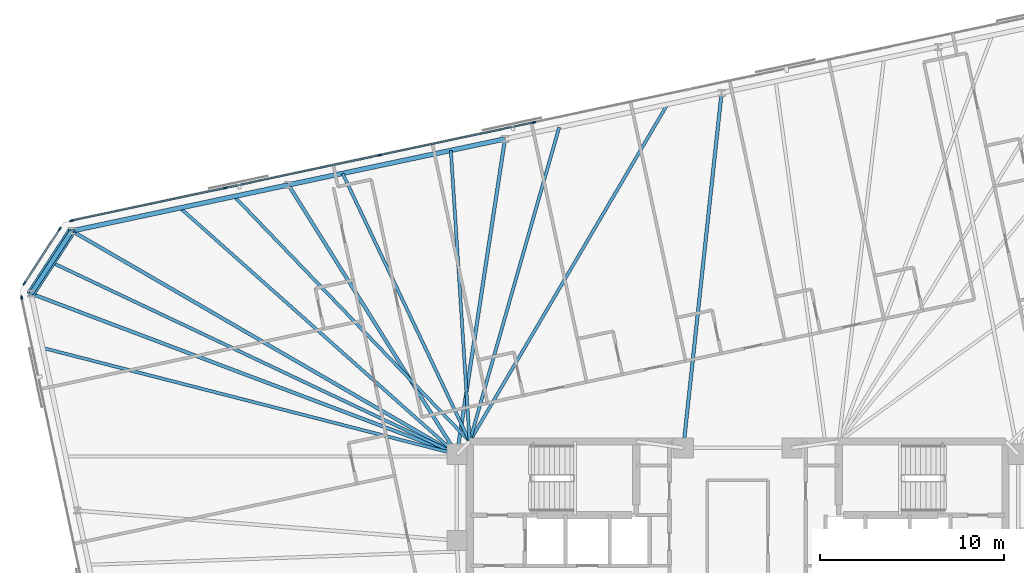
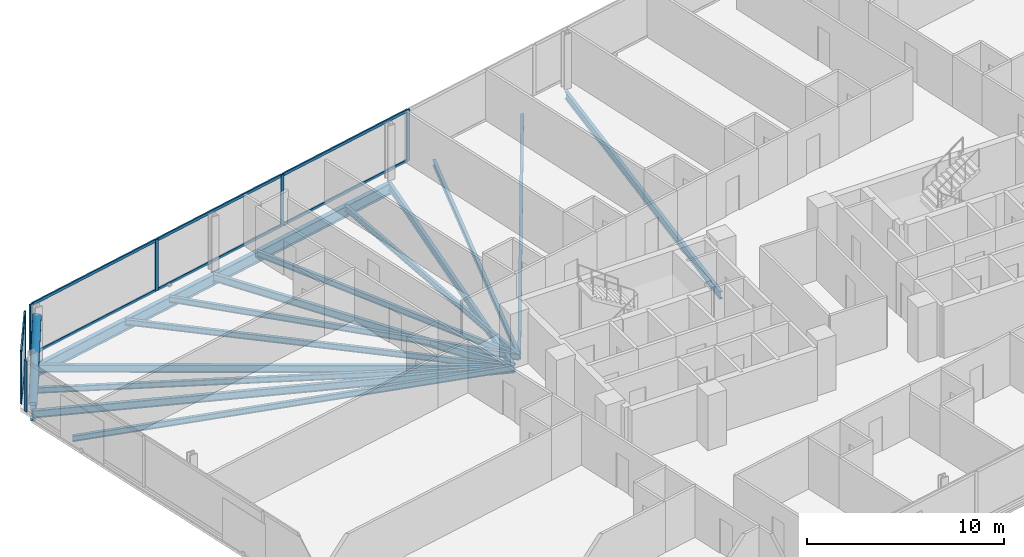
# One storey, part 9 of 20: 16 beams, 16 members, 3 elements without a shape of their own.
"""IFC4 building model written with IfcOpenShell, lengths in metres."""

from ifc_helpers import new_model, si_unit, direction, frame, origin, origin_2d, place, context, subcontext, project, spatial, rectangle, hollow_circle, i_section, extrude, material, material_profile, profile_set, type_object, element, aggregate, save


model = new_model("IFC4")

# Units and contexts
model_context = context("Model", 3, precision=1e-05, world=origin(), true_north=direction((0.0, 1.0)))
body_context = subcontext(model_context, "Body", "Model", "MODEL_VIEW")
ifc_project = project(units=[si_unit("LENGTHUNIT", "METRE"), si_unit("AREAUNIT", "SQUARE_METRE"), si_unit("VOLUMEUNIT", "CUBIC_METRE"), si_unit("PLANEANGLEUNIT", "RADIAN"), si_unit("MASSUNIT", "GRAM", prefix="KILO")], contexts=[model_context])

# Site, building, storey
site_placement = place(None, origin())
site = spatial("IfcSite", under=ifc_project, at=site_placement, CompositionType="ELEMENT")
building_placement = place(site_placement, origin())
building = spatial("IfcBuilding", under=site, at=building_placement, Name="Menara Jurai Vektor", CompositionType="ELEMENT")
storey_placement = place(building_placement, frame((0.0, 0.0, 158.199951171875)))
storey = spatial("IfcBuildingStorey", under=building, at=storey_placement, Name="L40", CompositionType="ELEMENT", Elevation=158.199951171875)

# Curtain wall, members
ifc_material_1 = material(Name="Anodised Pale Aluminium & Low-E Double Glazing", Category="aluminium")
curtain_wall_type = type_object("IfcCurtainWallType", Name="CW-BLK3", PredefinedType="NOTDEFINED", material=ifc_material_1)
curtain_wall_1_placement = place(storey_placement, origin())
curtain_wall_1 = element("IfcCurtainWall", 1, at=curtain_wall_1_placement, inside=storey, type_object=curtain_wall_type, Name="Unitised Curtain Wall L40 F05", PredefinedType="NOTDEFINED")
ifc_material_2 = material(Name="Anodised Pale Aluminium Mullion", Category="aluminium")
ifc_material_profile_1 = material_profile(ifc_material_2, rectangle(XDim=0.0849609375, YDim=0.205078125, at=origin_2d()), Name="ALU MUL 85x205")
ifc_profile_set_1 = profile_set([ifc_material_profile_1], Name="Anodised Pale Aluminium Mullion")
member_type_1 = type_object("IfcMemberType", Name="CW-BLK3-MUL", PredefinedType="MULLION", material=ifc_profile_set_1)
member_1_placement = place(storey_placement, frame((-11.06494140625, 22.9384765625, 0.0), z_axis=(0.0, 0.0, 1.0), x_axis=(0.207911344156, -0.978147674419, 0.0)))
member_1 = element("IfcMember", 2, at=member_1_placement, type_object=member_type_1, Name="CW-03 mullion 5", PredefinedType="MULLION", context=body_context, shape_type="SweptSolid", body=[
    extrude(rectangle(XDim=0.0849609375, YDim=0.205078125, at=origin_2d()), origin(), (0.0, 0.0, 1.0), 3.175048828125),
])
member_2_placement = place(storey_placement, frame((-19.45458984375, 21.1552734375, 0.0), z_axis=(0.0, 0.0, 1.0), x_axis=(0.207911344156, -0.978147674419, 0.0)))
member_2 = element("IfcMember", 3, at=member_2_placement, type_object=member_type_1, Name="CW-03 mullion 6", PredefinedType="MULLION", context=body_context, shape_type="SweptSolid", body=[
    extrude(rectangle(XDim=0.0849609375, YDim=0.205078125, at=origin_2d()), origin(), (0.0, 0.0, 1.0), 3.175048828125),
])
member_3_placement = place(storey_placement, frame((-27.844482421875, 19.3720703125, 0.0), z_axis=(0.0, 0.0, 1.0), x_axis=(0.207911344156, -0.978147674419, 0.0)))
member_3 = element("IfcMember", 4, at=member_3_placement, type_object=member_type_1, Name="CW-03 mullion 7", PredefinedType="MULLION", context=body_context, shape_type="SweptSolid", body=[
    extrude(rectangle(XDim=0.0849609375, YDim=0.205078125, at=origin_2d()), origin(), (0.0, 0.0, 1.0), 3.175048828125),
])
member_4_placement = place(storey_placement, frame((-36.192626953125, 17.59765625, 0.0), z_axis=(0.0, 0.0, 1.0), x_axis=(0.207911344156, -0.978147674419, 0.0)))
member_4 = element("IfcMember", 5, at=member_4_placement, type_object=member_type_1, Name="CW-03 mullion 8", PredefinedType="MULLION", context=body_context, shape_type="SweptSolid", body=[
    extrude(rectangle(XDim=0.0849609375, YDim=0.205078125, at=origin_2d()), origin(), (0.0, 0.0, 1.0), 3.175048828125),
])

curtain_wall_2_placement = place(storey_placement, origin())
curtain_wall_2 = element("IfcCurtainWall", 6, at=curtain_wall_2_placement, inside=storey, type_object=curtain_wall_type, Name="Unitised Curtain Wall L40 F06", PredefinedType="NOTDEFINED")
member_5_placement = place(storey_placement, frame((-36.8359375, 17.1552734375, 0.0), z_axis=(0.0, 0.0, 1.0), x_axis=(0.838684361415, -0.544617794346, 0.0)))
member_5 = element("IfcMember", 7, at=member_5_placement, type_object=member_type_1, Name="CW-03 mullion 1", PredefinedType="MULLION", context=body_context, shape_type="SweptSolid", body=[
    extrude(rectangle(XDim=0.0849609375, YDim=0.205078125, at=origin_2d()), origin(), (0.0, 0.0, 1.0), 3.175048828125),
])
member_6_placement = place(storey_placement, frame((-38.763427734375, 14.187255859375, 0.0), z_axis=(0.0, 0.0, 1.0), x_axis=(0.838684361415, -0.544617794346, 0.0)))
member_6 = element("IfcMember", 8, at=member_6_placement, type_object=member_type_1, Name="CW-03 mullion 2", PredefinedType="MULLION", context=body_context, shape_type="SweptSolid", body=[
    extrude(rectangle(XDim=0.0849609375, YDim=0.205078125, at=origin_2d()), origin(), (0.0, 0.0, 1.0), 3.175048828125),
])

# Curtain wall, member
curtain_wall_3_placement = place(storey_placement, origin())
curtain_wall_3 = element("IfcCurtainWall", 9, at=curtain_wall_3_placement, inside=storey, type_object=curtain_wall_type, Name="Unitised Curtain Wall L40 F07", PredefinedType="NOTDEFINED")
member_7_placement = place(storey_placement, frame((-38.90576171875, 13.419677734375, 0.0), z_axis=(0.0, 0.0, 1.0), x_axis=(0.978147883949, 0.20791035839, 0.0)))
member_7 = element("IfcMember", 10, at=member_7_placement, type_object=member_type_1, Name="CW-03 mullion 1", PredefinedType="MULLION", context=body_context, shape_type="SweptSolid", body=[
    extrude(rectangle(XDim=0.0849609375, YDim=0.205078125, at=origin_2d()), origin(), (0.0, 0.0, 1.0), 3.175048828125),
])
aggregate(curtain_wall_3, [member_7])

# Member
ifc_material_3 = material(Name="Anodised Pale Aluminium Transom", Category="aluminium")
ifc_material_profile_2 = material_profile(ifc_material_3, rectangle(XDim=0.0849609375, YDim=0.175048828125, at=origin_2d()), Name="ALU TRN 85x175")
ifc_profile_set_2 = profile_set([ifc_material_profile_2], Name="Anodised Pale Aluminium Transom")
member_type_2 = type_object("IfcMemberType", Name="CW-BLK3-TRN", PredefinedType="USERDEFINED", material=ifc_profile_set_2)
member_8_placement = place(storey_placement, frame((-11.1064453125, 22.9296875, 0.04248046875), z_axis=(-0.978147743708, -0.207911018178, 0.0), x_axis=(0.207911018178, -0.978147743708, 0.0)))
member_8 = element("IfcMember", 11, at=member_8_placement, type_object=member_type_2, Name="CW-03 transom 5.1", ObjectType="TRANSOM", PredefinedType="USERDEFINED", context=body_context, shape_type="SweptSolid", body=[
    extrude(rectangle(XDim=0.0849609375, YDim=0.175048828125, at=origin_2d()), origin(), (0.0, 0.0, 1.0), 8.4921875),
])

member_9_placement = place(storey_placement, frame((-11.1064453125, 22.9296875, 3.132568359375), z_axis=(-0.978147743708, -0.207911018178, 0.0), x_axis=(0.207911018178, -0.978147743708, 0.0)))
member_9 = element("IfcMember", 12, at=member_9_placement, type_object=member_type_2, Name="CW-03 transom 5.2", ObjectType="TRANSOM", PredefinedType="USERDEFINED", context=body_context, shape_type="SweptSolid", body=[
    extrude(rectangle(XDim=0.0849609375, YDim=0.175048828125, at=origin_2d()), origin(), (0.0, 0.0, 1.0), 8.4921875),
])

member_10_placement = place(storey_placement, frame((-19.496337890625, 21.146484375, 0.04248046875), z_axis=(-0.978146500933, -0.207916864907, 0.0), x_axis=(0.207916864907, -0.978146500933, 0.0)))
member_10 = element("IfcMember", 13, at=member_10_placement, type_object=member_type_2, Name="CW-03 transom 6.1", ObjectType="TRANSOM", PredefinedType="USERDEFINED", context=body_context, shape_type="SweptSolid", body=[
    extrude(rectangle(XDim=0.0849609375, YDim=0.175048828125, at=origin_2d()), origin(), (0.0, 0.0, 1.0), 8.491943359375),
])

member_11_placement = place(storey_placement, frame((-19.496337890625, 21.146484375, 3.132568359375), z_axis=(-0.978146500933, -0.207916864907, 0.0), x_axis=(0.207916864907, -0.978146500933, 0.0)))
member_11 = element("IfcMember", 14, at=member_11_placement, type_object=member_type_2, Name="CW-03 transom 6.2", ObjectType="TRANSOM", PredefinedType="USERDEFINED", context=body_context, shape_type="SweptSolid", body=[
    extrude(rectangle(XDim=0.0849609375, YDim=0.175048828125, at=origin_2d()), origin(), (0.0, 0.0, 1.0), 8.491943359375),
])

member_12_placement = place(storey_placement, frame((-27.885986328125, 19.363037109375, 0.04248046875), z_axis=(-0.978151580361, -0.207892967261, 0.0), x_axis=(0.207892967261, -0.978151580361, 0.0)))
member_12 = element("IfcMember", 15, at=member_12_placement, type_object=member_type_2, Name="CW-03 transom 7.1", ObjectType="TRANSOM", PredefinedType="USERDEFINED", context=body_context, shape_type="SweptSolid", body=[
    extrude(rectangle(XDim=0.0849609375, YDim=0.175048828125, at=origin_2d()), origin(), (0.0, 0.0, 1.0), 8.449462890625),
])

member_13_placement = place(storey_placement, frame((-27.885986328125, 19.363037109375, 3.132568359375), z_axis=(-0.978151580361, -0.207892967261, 0.0), x_axis=(0.207892967261, -0.978151580361, 0.0)))
member_13 = element("IfcMember", 16, at=member_13_placement, type_object=member_type_2, Name="CW-03 transom 7.2", ObjectType="TRANSOM", PredefinedType="USERDEFINED", context=body_context, shape_type="SweptSolid", body=[
    extrude(rectangle(XDim=0.0849609375, YDim=0.175048828125, at=origin_2d()), origin(), (0.0, 0.0, 1.0), 8.449462890625),
])

aggregate(curtain_wall_1, [member_1, member_2, member_3, member_4, member_8, member_9, member_10, member_11, member_12, member_13])

member_14_placement = place(storey_placement, frame((-36.859130859375, 17.11962890625, 0.04248046875), z_axis=(-0.54462804274, -0.83867770631, 0.0), x_axis=(0.83867770631, -0.54462804274, 0.0)))
member_14 = element("IfcMember", 17, at=member_14_placement, type_object=member_type_2, Name="CW-03 transom 1.1", ObjectType="TRANSOM", PredefinedType="USERDEFINED", context=body_context, shape_type="SweptSolid", body=[
    extrude(rectangle(XDim=0.0849609375, YDim=0.175048828125, at=origin_2d()), origin(), (0.0, 0.0, 1.0), 3.453857421875),
])

member_15_placement = place(storey_placement, frame((-36.859130859375, 17.11962890625, 3.132568359375), z_axis=(-0.54462804274, -0.83867770631, 0.0), x_axis=(0.83867770631, -0.54462804274, 0.0)))
member_15 = element("IfcMember", 18, at=member_15_placement, type_object=member_type_2, Name="CW-03 transom 1.2", ObjectType="TRANSOM", PredefinedType="USERDEFINED", context=body_context, shape_type="SweptSolid", body=[
    extrude(rectangle(XDim=0.0849609375, YDim=0.175048828125, at=origin_2d()), origin(), (0.0, 0.0, 1.0), 3.453857421875),
])

aggregate(curtain_wall_2, [member_5, member_6, member_14, member_15])

# Beams
ifc_material_4 = material(Name="Steel S355", Category="steel")
ifc_material_profile_3 = material_profile(ifc_material_4, i_section(OverallWidth=0.19091796875, OverallDepth=0.4599609375, WebThickness=0.010009765625, FlangeThickness=0.01611328125, FilletRadius=0.010009765625, at=origin_2d()), Name="UKB 457x191x82")
ifc_profile_set_3 = profile_set([ifc_material_profile_3], Name="Steel S355")
beam_type_1 = type_object("IfcBeamType", Name="STR-BM-457", PredefinedType="BEAM", material=ifc_profile_set_3)
beam_1_placement = place(storey_placement, frame((-0.87158203125, 24.54296875, -0.454833984375), z_axis=(-0.107107067506, -0.994247492373, 0.0), x_axis=(0.994247492373, -0.107107067506, 0.0)))
element("IfcBeam", 19, at=beam_1_placement, inside=storey, type_object=beam_type_1, Name="Radial Floor Girder L40-N3", PredefinedType="BEAM", context=body_context, shape_type="SweptSolid", body=[
    extrude(i_section(OverallWidth=0.19091796875, OverallDepth=0.4599609375, WebThickness=0.010009765625, FlangeThickness=0.01611328125, FilletRadius=0.010009765625, at=origin_2d()), origin(), (0.0, 0.0, 1.0), 19.404541015625),
])
beam_2_placement = place(storey_placement, frame((-12.639892578125, 22.04150390625, -0.454833984375), z_axis=(-0.150532344322, -0.988605084608, 0.0), x_axis=(0.988605084608, -0.150532344322, 0.0)))
element("IfcBeam", 20, at=beam_2_placement, inside=storey, type_object=beam_type_1, Name="Radial Floor Girder L40-N4", PredefinedType="BEAM", context=body_context, shape_type="SweptSolid", body=[
    extrude(i_section(OverallWidth=0.19091796875, OverallDepth=0.4599609375, WebThickness=0.010009765625, FlangeThickness=0.01611328125, FilletRadius=0.010009765625, at=origin_2d()), origin(), (0.0, 0.0, 1.0), 17.339111328125),
])
beam_3_placement = place(storey_placement, frame((-24.408203125, 19.5400390625, -0.454833984375), z_axis=(0.53033693414, -0.847786963976, 0.0), x_axis=(0.847786963976, 0.53033693414, 0.0)))
element("IfcBeam", 21, at=beam_3_placement, inside=storey, type_object=beam_type_1, Name="Radial Floor Girder L40-N5", PredefinedType="BEAM", context=body_context, shape_type="SweptSolid", body=[
    extrude(i_section(OverallWidth=0.19091796875, OverallDepth=0.4599609375, WebThickness=0.010009765625, FlangeThickness=0.01611328125, FilletRadius=0.010009765625, at=origin_2d()), origin(), (0.0, 0.0, 1.0), 17.2685546875),
])
beam_4_placement = place(storey_placement, frame((-36.17626953125, 17.038818359375, -0.454833984375), z_axis=(0.86500105453, -0.50177004261, 0.0), x_axis=(0.50177004261, 0.86500105453, 0.0)))
element("IfcBeam", 22, at=beam_4_placement, inside=storey, type_object=beam_type_1, Name="Radial Floor Girder L40-N6", PredefinedType="BEAM", context=body_context, shape_type="SweptSolid", body=[
    extrude(i_section(OverallWidth=0.19091796875, OverallDepth=0.4599609375, WebThickness=0.010009765625, FlangeThickness=0.01611328125, FilletRadius=0.010009765625, at=origin_2d()), origin(), (0.0, 0.0, 1.0), 24.192138671875),
])
beam_5_placement = place(storey_placement, frame((-38.388671875, 13.632080078125, -0.454833984375), z_axis=(0.935593658977, -0.353078610626, 0.0), x_axis=(0.353078610626, 0.935593658977, 0.0)))
element("IfcBeam", 23, at=beam_5_placement, inside=storey, type_object=beam_type_1, Name="Radial Floor Girder L40-W1", PredefinedType="BEAM", context=body_context, shape_type="SweptSolid", body=[
    extrude(i_section(OverallWidth=0.19091796875, OverallDepth=0.4599609375, WebThickness=0.010009765625, FlangeThickness=0.01611328125, FilletRadius=0.010009765625, at=origin_2d()), origin(), (0.0, 0.0, 1.0), 24.7314453125),
])

# Member
ifc_material_5 = material(Name="Steel S460", Category="steel")
ifc_material_profile_4 = material_profile(ifc_material_5, hollow_circle(Radius=0.228515625, WallThickness=0.01611328125, at=origin_2d()), Name="CHS 457x16")
ifc_profile_set_4 = profile_set([ifc_material_profile_4], Name="Steel S460")
member_type_3 = type_object("IfcMemberType", Name="STR-BR-457", PredefinedType="BRACE", material=ifc_profile_set_4)
member_16_placement = place(storey_placement, frame((-38.388671875, 13.632080078125, 0.150146484375), z_axis=(0.454900425841, 0.700422163072, 0.549976723186), x_axis=(-0.838648168484, 0.544673525608, 0.0)))
element("IfcMember", 24, at=member_16_placement, inside=storey, type_object=member_type_3, Name="Exoskeleton Corner Brace L40-3", PredefinedType="BRACE", context=body_context, shape_type="SweptSolid", body=[
    extrude(hollow_circle(Radius=0.228515625, WallThickness=0.01611328125, at=origin_2d()), origin(), (0.0, 0.0, 1.0), 4.863525390625),
])

# Beams
ifc_material_profile_5 = material_profile(ifc_material_4, i_section(OverallWidth=0.172119140625, OverallDepth=0.35498046875, WebThickness=0.007080078125, FlangeThickness=0.011962890625, FilletRadius=0.010009765625, at=origin_2d()), Name="UKB 356x171x51")
ifc_profile_set_5 = profile_set([ifc_material_profile_5], Name="Steel S355")
beam_type_2 = type_object("IfcBeamType", Name="STR-JS-356", PredefinedType="JOIST", material=ifc_profile_set_5)
beam_6_placement = place(storey_placement, frame((-3.813720703125, 23.91748046875, -0.40234375), z_axis=(-0.506019514775, -0.862522029091, 0.0), x_axis=(0.862522029091, -0.506019514775, 0.0)))
element("IfcBeam", 25, at=beam_6_placement, inside=storey, type_object=beam_type_2, Name="Radial Secondary Floor Joist L40-JS22", PredefinedType="JOIST", context=body_context, shape_type="SweptSolid", body=[
    extrude(i_section(OverallWidth=0.172119140625, OverallDepth=0.35498046875, WebThickness=0.007080078125, FlangeThickness=0.011962890625, FilletRadius=0.010009765625, at=origin_2d()), origin(), (0.0, 0.0, 1.0), 21.237060546875),
])
beam_7_placement = place(storey_placement, frame((-9.69775390625, 22.666748046875, -0.40234375), z_axis=(-0.273997863708, -0.961730300387, 0.0), x_axis=(0.961730300387, -0.273997863708, 0.0)))
element("IfcBeam", 26, at=beam_7_placement, inside=storey, type_object=beam_type_2, Name="Radial Secondary Floor Joist L40-JS23", PredefinedType="JOIST", context=body_context, shape_type="SweptSolid", body=[
    extrude(i_section(OverallWidth=0.172119140625, OverallDepth=0.35498046875, WebThickness=0.007080078125, FlangeThickness=0.011962890625, FilletRadius=0.010009765625, at=origin_2d()), origin(), (0.0, 0.0, 1.0), 17.745849609375),
])
beam_8_placement = place(storey_placement, frame((-15.581787109375, 21.416015625, -0.40234375), z_axis=(0.064466897528, -0.997919846041, 0.0), x_axis=(0.997919846041, 0.064466897528, 0.0)))
element("IfcBeam", 27, at=beam_8_placement, inside=storey, type_object=beam_type_2, Name="Radial Secondary Floor Joist L40-JS24", PredefinedType="JOIST", context=body_context, shape_type="SweptSolid", body=[
    extrude(i_section(OverallWidth=0.172119140625, OverallDepth=0.35498046875, WebThickness=0.007080078125, FlangeThickness=0.011962890625, FilletRadius=0.010009765625, at=origin_2d()), origin(), (0.0, 0.0, 1.0), 15.848876953125),
])
beam_9_placement = place(storey_placement, frame((-21.466064453125, 20.165283203125, -0.40234375), z_axis=(0.428426167333, -0.903576792057, 0.0), x_axis=(0.903576792057, 0.428426167333, 0.0)))
element("IfcBeam", 28, at=beam_9_placement, inside=storey, type_object=beam_type_2, Name="Radial Secondary Floor Joist L40-JS25", PredefinedType="JOIST", context=body_context, shape_type="SweptSolid", body=[
    extrude(i_section(OverallWidth=0.172119140625, OverallDepth=0.35498046875, WebThickness=0.007080078125, FlangeThickness=0.011962890625, FilletRadius=0.010009765625, at=origin_2d()), origin(), (0.0, 0.0, 1.0), 16.119384765625),
])
beam_10_placement = place(storey_placement, frame((-27.35009765625, 18.914794921875, -0.40234375), z_axis=(0.692755307066, -0.721172714772, 0.0), x_axis=(0.721172714772, 0.692755307066, 0.0)))
element("IfcBeam", 29, at=beam_10_placement, inside=storey, type_object=beam_type_2, Name="Radial Secondary Floor Joist L40-JS26", PredefinedType="JOIST", context=body_context, shape_type="SweptSolid", body=[
    extrude(i_section(OverallWidth=0.172119140625, OverallDepth=0.35498046875, WebThickness=0.007080078125, FlangeThickness=0.011962890625, FilletRadius=0.010009765625, at=origin_2d()), origin(), (0.0, 0.0, 1.0), 18.462646484375),
])
beam_11_placement = place(storey_placement, frame((-30.292236328125, 18.289306640625, -0.40234375), z_axis=(0.746952302948, -0.664877625673, 0.0), x_axis=(0.664877625673, 0.746952302948, 0.0)))
element("IfcBeam", 30, at=beam_11_placement, inside=storey, type_object=beam_type_2, Name="Radial Secondary Floor Joist L40-JS27", PredefinedType="JOIST", context=body_context, shape_type="SweptSolid", body=[
    extrude(i_section(OverallWidth=0.172119140625, OverallDepth=0.35498046875, WebThickness=0.007080078125, FlangeThickness=0.011962890625, FilletRadius=0.010009765625, at=origin_2d()), origin(), (0.0, 0.0, 1.0), 20.13818359375),
])
beam_12_placement = place(storey_placement, frame((-37.282470703125, 15.33544921875, -0.40234375), z_axis=(0.903751908448, -0.428056641085, 0.0), x_axis=(0.428056641085, 0.903751908448, 0.0)))
element("IfcBeam", 31, at=beam_12_placement, inside=storey, type_object=beam_type_2, Name="Radial Secondary Floor Joist L40-JS28", PredefinedType="JOIST", context=body_context, shape_type="SweptSolid", body=[
    extrude(i_section(OverallWidth=0.172119140625, OverallDepth=0.35498046875, WebThickness=0.007080078125, FlangeThickness=0.011962890625, FilletRadius=0.010009765625, at=origin_2d()), origin(), (0.0, 0.0, 1.0), 24.37890625),
])
beam_13_placement = place(storey_placement, frame((-37.76220703125, 10.68505859375, -0.40234375), z_axis=(0.968531283953, -0.248891848005, 0.0), x_axis=(0.248891848005, 0.968531283953, 0.0)))
element("IfcBeam", 32, at=beam_13_placement, inside=storey, type_object=beam_type_2, Name="Radial Secondary Floor Joist L40-JS29", PredefinedType="JOIST", context=body_context, shape_type="SweptSolid", body=[
    extrude(i_section(OverallWidth=0.172119140625, OverallDepth=0.35498046875, WebThickness=0.007080078125, FlangeThickness=0.011962890625, FilletRadius=0.010009765625, at=origin_2d()), origin(), (0.0, 0.0, 1.0), 23.24365234375),
])
ifc_material_profile_6 = material_profile(ifc_material_5, i_section(OverallWidth=0.256103515625, OverallDepth=0.693115234375, WebThickness=0.013916015625, FlangeThickness=0.02392578125, FilletRadius=0.014892578125, at=origin_2d()), Name="UKB 686x254x170")
ifc_profile_set_6 = profile_set([ifc_material_profile_6], Name="Steel S460")
beam_type_3 = type_object("IfcBeamType", Name="STR-SP-686", PredefinedType="SPANDREL", material=ifc_profile_set_6)
beam_14_placement = place(storey_placement, frame((-12.639892578125, 22.04150390625, -0.571533203125), z_axis=(-0.978147039247, -0.207914332389, 0.0), x_axis=(0.207914332389, -0.978147039247, 0.0)))
element("IfcBeam", 33, at=beam_14_placement, inside=storey, type_object=beam_type_3, Name="Exoskeleton Spandrel Beam L40-14", PredefinedType="SPANDREL", context=body_context, shape_type="SweptSolid", body=[
    extrude(i_section(OverallWidth=0.256103515625, OverallDepth=0.693115234375, WebThickness=0.013916015625, FlangeThickness=0.02392578125, FilletRadius=0.014892578125, at=origin_2d()), origin(), (0.0, 0.0, 1.0), 12.03125),
])
beam_15_placement = place(storey_placement, frame((-24.408203125, 19.5400390625, -0.571533203125), z_axis=(-0.978150288855, -0.207899043801, 0.0), x_axis=(0.207899043801, -0.978150288855, 0.0)))
element("IfcBeam", 34, at=beam_15_placement, inside=storey, type_object=beam_type_3, Name="Exoskeleton Spandrel Beam L40-15", PredefinedType="SPANDREL", context=body_context, shape_type="SweptSolid", body=[
    extrude(i_section(OverallWidth=0.256103515625, OverallDepth=0.693115234375, WebThickness=0.013916015625, FlangeThickness=0.02392578125, FilletRadius=0.014892578125, at=origin_2d()), origin(), (0.0, 0.0, 1.0), 12.031005859375),
])
beam_16_placement = place(storey_placement, frame((-36.17626953125, 17.038818359375, -0.571533203125), z_axis=(-0.544646071268, -0.838665998507, 0.0), x_axis=(0.838665998507, -0.544646071268, 0.0)))
element("IfcBeam", 35, at=beam_16_placement, inside=storey, type_object=beam_type_3, Name="Exoskeleton Spandrel Beam L40-16", PredefinedType="SPANDREL", context=body_context, shape_type="SweptSolid", body=[
    extrude(i_section(OverallWidth=0.256103515625, OverallDepth=0.693115234375, WebThickness=0.013916015625, FlangeThickness=0.02392578125, FilletRadius=0.014892578125, at=origin_2d()), origin(), (0.0, 0.0, 1.0), 4.06201171875),
])

save(model, "model.ifc")
